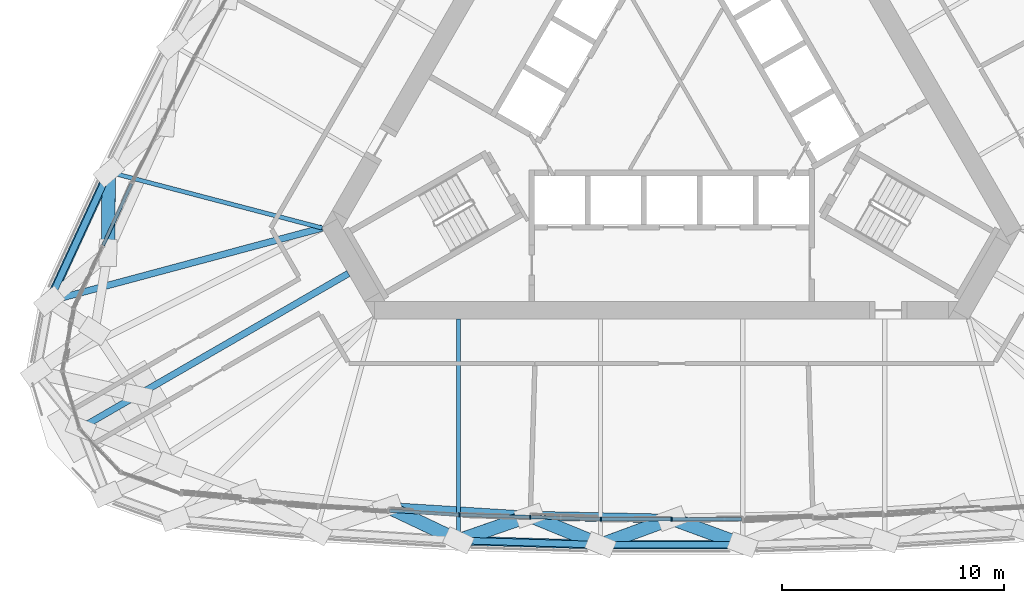
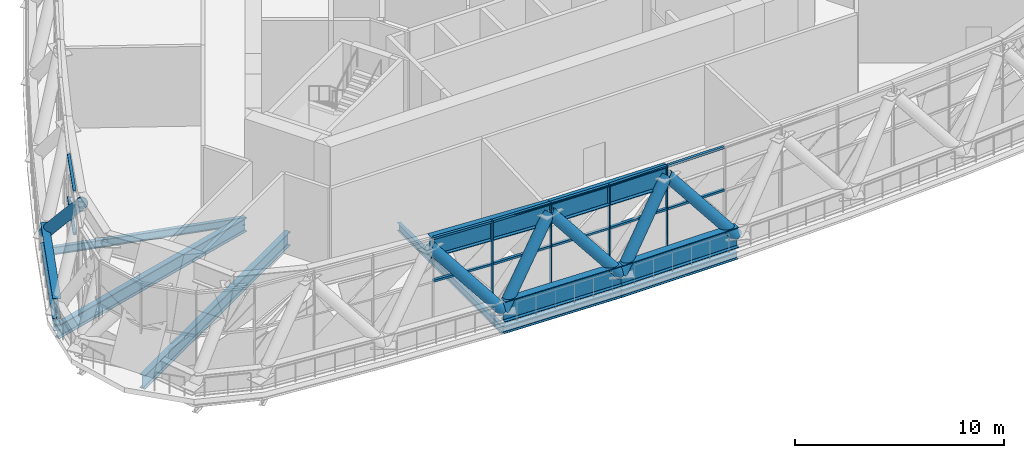
# One storey, part 2 of 35: 27 members, 7 beams, 2 elements without a shape of their own.
"""IFC4 building model written with IfcOpenShell, lengths in metres."""

from ifc_helpers import new_model, si_unit, direction, frame, origin, origin_2d, place, context, subcontext, project, spatial, rectangle, hollow_circle, i_section, extrude, material, material_profile, profile_set, type_object, element, aggregate, save


model = new_model("IFC4")

# Units and contexts
model_context = context("Model", 3, precision=1e-05, world=origin(), true_north=direction((0.0, 1.0)))
body_context = subcontext(model_context, "Body", "Model", "MODEL_VIEW")
ifc_project = project(units=[si_unit("LENGTHUNIT", "METRE"), si_unit("AREAUNIT", "SQUARE_METRE"), si_unit("VOLUMEUNIT", "CUBIC_METRE"), si_unit("PLANEANGLEUNIT", "RADIAN"), si_unit("MASSUNIT", "GRAM", prefix="KILO")], contexts=[model_context])

# Site, building, storey
site_placement = place(None, origin())
site = spatial("IfcSite", under=ifc_project, at=site_placement, CompositionType="ELEMENT")
building_placement = place(site_placement, origin())
building = spatial("IfcBuilding", under=site, at=building_placement, Name="Mestral Congress Tower", CompositionType="ELEMENT")
storey_placement = place(building_placement, frame((0.0, 0.0, 196.199951171875)))
storey = spatial("IfcBuildingStorey", under=building, at=storey_placement, Name="L46", CompositionType="ELEMENT", Elevation=196.199951171875)

# Members
ifc_material_1 = material(Name="Steel S355", Category="steel")
ifc_material_profile_1 = material_profile(ifc_material_1, i_section(OverallWidth=0.39990234375, OverallDepth=1.199951171875, WebThickness=0.02001953125, FlangeThickness=0.0400390625, FilletRadius=0.010009765625, at=origin_2d()), Name="WPG 1200")
ifc_profile_set_1 = profile_set([ifc_material_profile_1], Name="Steel S355")
member_type_1 = type_object("IfcMemberType", Name="Belt chord WPG 1200 S355", PredefinedType="CHORD", material=ifc_profile_set_1)
member_1_placement = place(storey_placement, frame((-9.5966796875, -20.412841796875, 0.60009765625), z_axis=(0.999534187957, -0.030518963031, 0.0), x_axis=(0.030518963031, 0.999534187957, 0.0)))
element("IfcMember", 1, at=member_1_placement, inside=storey, type_object=member_type_1, Name="MB-L46-BC3-S02", PredefinedType="CHORD", context=body_context, shape_type="SweptSolid", body=[
    extrude(i_section(OverallWidth=0.39990234375, OverallDepth=1.199951171875, WebThickness=0.02001953125, FlangeThickness=0.0400390625, FilletRadius=0.010009765625, at=origin_2d()), origin(), (0.0, 0.0, 1.0), 6.399658203125),
])
member_2_placement = place(storey_placement, frame((-3.199951171875, -20.608154296875, 0.60009765625), z_axis=(1.0, 0.0, 0.0), x_axis=(0.0, 1.0, 0.0)))
element("IfcMember", 2, at=member_2_placement, inside=storey, type_object=member_type_1, Name="MB-L46-BC3-S03", PredefinedType="CHORD", context=body_context, shape_type="SweptSolid", body=[
    extrude(i_section(OverallWidth=0.39990234375, OverallDepth=1.199951171875, WebThickness=0.02001953125, FlangeThickness=0.0400390625, FilletRadius=0.010009765625, at=origin_2d()), origin(), (0.0, 0.0, 1.0), 6.39990234375),
])
for number, where, z_axis, x_axis, name in (
    (3, (-25.332275390625, -3.831787109375, 0.60009765625), (-0.418683166857, -0.908132372394, 0.0), (0.908132372394, -0.418683166857, 0.0), "MB-L46-BC3-W06"),
    (4, (-12.785400390625, -18.899658203125, 4.550048828125), (0.998062363273, -0.062221531783, 0.0), (0.062221531783, 0.998062363273, 0.0), "MB-L46-TC3-S01"),
    (5, (-6.398193359375, -19.2978515625, 4.550048828125), (0.999784626203, -0.020753342109, 0.0), (0.020753342109, 0.999784626203, 0.0), "MB-L46-TC3-S02"),
):
    element("IfcMember", number, at=place(storey_placement, frame(where, z_axis=z_axis, x_axis=x_axis)), inside=storey, type_object=member_type_1, Name=name, PredefinedType="CHORD", context=body_context, shape_type="SweptSolid", body=[
        extrude(i_section(OverallWidth=0.39990234375, OverallDepth=1.199951171875, WebThickness=0.02001953125, FlangeThickness=0.0400390625, FilletRadius=0.010009765625, at=origin_2d()), origin(), (0.0, 0.0, 1.0), 6.399658203125),
    ])
ifc_material_profile_2 = material_profile(ifc_material_1, hollow_circle(Radius=0.304931640625, WallThickness=0.02490234375, at=origin_2d()), Name="CHS 610x25")
ifc_profile_set_2 = profile_set([ifc_material_profile_2], Name="Steel S355")
member_type_2 = type_object("IfcMemberType", Name="Belt diagonal CHS 610x25 S355", PredefinedType="BRACE", material=ifc_profile_set_2)
member_3_placement = place(storey_placement, frame((-9.5966796875, -20.412841796875, 0.60009765625), z_axis=(-0.601969325776, 0.285660047559, 0.74567504186), x_axis=(-0.428719573433, -0.903437616748, 0.0)))
element("IfcMember", 6, at=member_3_placement, inside=storey, type_object=member_type_2, Name="MD-L46-BD3-S02.S01", PredefinedType="BRACE", context=body_context, shape_type="SweptSolid", body=[
    extrude(hollow_circle(Radius=0.304931640625, WallThickness=0.02490234375, at=origin_2d()), origin(), (0.0, 0.0, 1.0), 5.297119140625),
])
member_4_placement = place(storey_placement, frame((-9.5966796875, -20.412841796875, 0.60009765625), z_axis=(0.614688651421, 0.21428006038, 0.759105998881), x_axis=(-0.329171906414, 0.944270012246, 0.0)))
element("IfcMember", 7, at=member_4_placement, inside=storey, type_object=member_type_2, Name="MD-L46-BD3-S02.S02", PredefinedType="BRACE", context=body_context, shape_type="SweptSolid", body=[
    extrude(hollow_circle(Radius=0.304931640625, WallThickness=0.02490234375, at=origin_2d()), origin(), (0.0, 0.0, 1.0), 5.203369140625),
])
member_5_placement = place(storey_placement, frame((-3.199951171875, -20.608154296875, 0.60009765625), z_axis=(-0.609351939197, 0.24964823341, 0.752572902616), x_axis=(-0.379111379688, -0.925351047868, 0.0)))
element("IfcMember", 8, at=member_5_placement, inside=storey, type_object=member_type_2, Name="MD-L46-BD3-S03.S02", PredefinedType="BRACE", context=body_context, shape_type="SweptSolid", body=[
    extrude(hollow_circle(Radius=0.304931640625, WallThickness=0.02490234375, at=origin_2d()), origin(), (0.0, 0.0, 1.0), 5.24853515625),
])
for number, where, z_axis, x_axis, name in (
    (9, (-3.199951171875, -20.608154296875, 0.60009765625), (0.61324385841, 0.225656147792, 0.756975080889), (-0.345333702823, 0.938479959133, 0.0), "MD-L46-BD3-S03.S03"),
    (10, (3.199951171875, -20.608154296875, 0.60009765625), (-0.61324385841, 0.225656147792, 0.756975080889), (-0.345333702823, -0.938479959133, 0.0), "MD-L46-BD3-S04.S03"),
):
    element("IfcMember", number, at=place(storey_placement, frame(where, z_axis=z_axis, x_axis=x_axis)), inside=storey, type_object=member_type_2, Name=name, PredefinedType="BRACE", context=body_context, shape_type="SweptSolid", body=[
        extrude(hollow_circle(Radius=0.304931640625, WallThickness=0.02490234375, at=origin_2d()), origin(), (0.0, 0.0, 1.0), 5.218017578125),
    ])
member_6_placement = place(storey_placement, frame((-25.332275390625, -3.831787109375, 0.60009765625), z_axis=(-0.006822374427, -0.677097920585, 0.735861305646), x_axis=(0.999949241933, -0.010075393719, 0.0)))
element("IfcMember", 11, at=member_6_placement, inside=storey, type_object=member_type_2, Name="MD-L46-BD3-W06.W06", PredefinedType="BRACE", context=body_context, shape_type="SweptSolid", body=[
    extrude(hollow_circle(Radius=0.304931640625, WallThickness=0.02490234375, at=origin_2d()), origin(), (0.0, 0.0, 1.0), 5.36767578125),
])

# Curtain wall, members
ifc_material_2 = material(Name="Clear low-emissivity double glazing", Category="glass")
curtain_wall_type = type_object("IfcCurtainWallType", Name="Facade refuge band screen", PredefinedType="USERDEFINED", material=ifc_material_2)
placement = place(storey_placement, origin())
curtain_wall_1 = element("IfcCurtainWall", 12, at=placement, inside=storey, type_object=curtain_wall_type, Name="Facade refuge band screen face 1", ObjectType="CURTAIN WALL", PredefinedType="USERDEFINED")
ifc_material_3 = material(Name="Anodised aluminium", Category="aluminium")
ifc_material_profile_3 = material_profile(ifc_material_3, rectangle(XDim=0.179931640625, YDim=0.06005859375, at=origin_2d()), Name="CW3 mullion 180 x 60")
ifc_profile_set_3 = profile_set([ifc_material_profile_3], Name="Anodised aluminium")
member_type_3 = type_object("IfcMemberType", Name="Facade refuge band screen mullion", PredefinedType="MULLION", material=ifc_profile_set_3)
member_7_placement = place(storey_placement, frame((-9.5439453125, -19.263916015625, 0.0), z_axis=(0.0, 0.0, 1.0), x_axis=(-0.045770970953, -0.998951959915, 0.0)))
member_7 = element("IfcMember", 13, at=member_7_placement, type_object=member_type_3, Name="Facade refuge band screen mullion", PredefinedType="MULLION", context=body_context, shape_type="SweptSolid", body=[
    extrude(rectangle(XDim=0.179931640625, YDim=0.06005859375, at=origin_2d()), origin(), (0.0, 0.0, 1.0), 5.150146484375),
])
member_8_placement = place(storey_placement, frame((-6.36328125, -19.361083984375, 0.0), z_axis=(0.0, 0.0, 1.0), x_axis=(-0.030519323537, -0.99953417695, 0.0)))
member_8 = element("IfcMember", 14, at=member_8_placement, type_object=member_type_3, Name="Facade refuge band screen mullion", PredefinedType="MULLION", context=body_context, shape_type="SweptSolid", body=[
    extrude(rectangle(XDim=0.179931640625, YDim=0.06005859375, at=origin_2d()), origin(), (0.0, 0.0, 1.0), 5.150146484375),
])
member_9_placement = place(storey_placement, frame((-3.182373046875, -19.458251953125, 0.0), z_axis=(0.0, 0.0, 1.0), x_axis=(-0.015262311717, -0.999883524137, 0.0)))
member_9 = element("IfcMember", 15, at=member_9_placement, type_object=member_type_3, Name="Facade refuge band screen mullion", PredefinedType="MULLION", context=body_context, shape_type="SweptSolid", body=[
    extrude(rectangle(XDim=0.179931640625, YDim=0.06005859375, at=origin_2d()), origin(), (0.0, 0.0, 1.0), 5.150146484375),
])
member_10_placement = place(storey_placement, frame((0.0, -19.458251953125, 0.0), z_axis=(0.0, 0.0, 1.0), x_axis=(0.0, -1.0, 0.0)))
member_10 = element("IfcMember", 16, at=member_10_placement, type_object=member_type_3, Name="Facade refuge band screen mullion", PredefinedType="MULLION", context=body_context, shape_type="SweptSolid", body=[
    extrude(rectangle(XDim=0.179931640625, YDim=0.06005859375, at=origin_2d()), origin(), (0.0, 0.0, 1.0), 5.150146484375),
])
ifc_material_profile_4 = material_profile(ifc_material_3, rectangle(XDim=0.14990234375, YDim=0.1201171875, at=origin_2d()), Name="CW3 transom 150 x 120")
ifc_profile_set_4 = profile_set([ifc_material_profile_4], Name="Anodised aluminium")
member_type_4 = type_object("IfcMemberType", Name="Facade refuge band screen transom", PredefinedType="USERDEFINED", material=ifc_profile_set_4)
member_11_placement = place(storey_placement, frame((-12.6904296875, -19.071533203125, 2.60009765625), z_axis=(0.998133563437, -0.06106872801, 0.0), x_axis=(0.06106872801, 0.998133563437, 0.0)))
member_11 = element("IfcMember", 17, at=member_11_placement, type_object=member_type_4, Name="Facade refuge band screen transom", ObjectType="TRANSOM", PredefinedType="USERDEFINED", context=body_context, shape_type="SweptSolid", body=[
    extrude(rectangle(XDim=0.14990234375, YDim=0.1201171875, at=origin_2d()), origin(), (0.0, 0.0, 1.0), 3.122314453125),
])
member_12_placement = place(storey_placement, frame((-12.6904296875, -19.071533203125, 5.090087890625), z_axis=(0.998133563437, -0.06106872801, 0.0), x_axis=(0.06106872801, 0.998133563437, 0.0)))
member_12 = element("IfcMember", 18, at=member_12_placement, type_object=member_type_4, Name="Facade refuge band screen transom", ObjectType="TRANSOM", PredefinedType="USERDEFINED", context=body_context, shape_type="SweptSolid", body=[
    extrude(rectangle(XDim=0.14990234375, YDim=0.1201171875, at=origin_2d()), origin(), (0.0, 0.0, 1.0), 3.122314453125),
])
member_13_placement = place(storey_placement, frame((-9.513916015625, -19.264892578125, 2.60009765625), z_axis=(0.999534916873, -0.030495080778, 0.0), x_axis=(0.030495080778, 0.999534916873, 0.0)))
member_13 = element("IfcMember", 19, at=member_13_placement, type_object=member_type_4, Name="Facade refuge band screen transom", ObjectType="TRANSOM", PredefinedType="USERDEFINED", context=body_context, shape_type="SweptSolid", body=[
    extrude(rectangle(XDim=0.14990234375, YDim=0.1201171875, at=origin_2d()), origin(), (0.0, 0.0, 1.0), 3.122314453125),
])
member_14_placement = place(storey_placement, frame((-9.513916015625, -19.264892578125, 5.090087890625), z_axis=(0.999534916873, -0.030495080778, 0.0), x_axis=(0.030495080778, 0.999534916873, 0.0)))
member_14 = element("IfcMember", 20, at=member_14_placement, type_object=member_type_4, Name="Facade refuge band screen transom", ObjectType="TRANSOM", PredefinedType="USERDEFINED", context=body_context, shape_type="SweptSolid", body=[
    extrude(rectangle(XDim=0.14990234375, YDim=0.1201171875, at=origin_2d()), origin(), (0.0, 0.0, 1.0), 3.122314453125),
])
member_15_placement = place(storey_placement, frame((-6.333251953125, -19.362060546875, 2.60009765625), z_axis=(0.999534916873, -0.030495080778, 0.0), x_axis=(0.030495080778, 0.999534916873, 0.0)))
member_15 = element("IfcMember", 21, at=member_15_placement, type_object=member_type_4, Name="Facade refuge band screen transom", ObjectType="TRANSOM", PredefinedType="USERDEFINED", context=body_context, shape_type="SweptSolid", body=[
    extrude(rectangle(XDim=0.14990234375, YDim=0.1201171875, at=origin_2d()), origin(), (0.0, 0.0, 1.0), 3.122314453125),
])
member_16_placement = place(storey_placement, frame((-6.333251953125, -19.362060546875, 5.090087890625), z_axis=(0.999534916873, -0.030495080778, 0.0), x_axis=(0.030495080778, 0.999534916873, 0.0)))
member_16 = element("IfcMember", 22, at=member_16_placement, type_object=member_type_4, Name="Facade refuge band screen transom", ObjectType="TRANSOM", PredefinedType="USERDEFINED", context=body_context, shape_type="SweptSolid", body=[
    extrude(rectangle(XDim=0.14990234375, YDim=0.1201171875, at=origin_2d()), origin(), (0.0, 0.0, 1.0), 3.122314453125),
])
member_17_placement = place(storey_placement, frame((-3.15234375, -19.458251953125, 2.60009765625), z_axis=(1.0, 0.0, 0.0), x_axis=(0.0, 1.0, 0.0)))
member_17 = element("IfcMember", 23, at=member_17_placement, type_object=member_type_4, Name="Facade refuge band screen transom", ObjectType="TRANSOM", PredefinedType="USERDEFINED", context=body_context, shape_type="SweptSolid", body=[
    extrude(rectangle(XDim=0.14990234375, YDim=0.1201171875, at=origin_2d()), origin(), (0.0, 0.0, 1.0), 3.122314453125),
])
member_18_placement = place(storey_placement, frame((-3.15234375, -19.458251953125, 5.090087890625), z_axis=(1.0, 0.0, 0.0), x_axis=(0.0, 1.0, 0.0)))
member_18 = element("IfcMember", 24, at=member_18_placement, type_object=member_type_4, Name="Facade refuge band screen transom", ObjectType="TRANSOM", PredefinedType="USERDEFINED", context=body_context, shape_type="SweptSolid", body=[
    extrude(rectangle(XDim=0.14990234375, YDim=0.1201171875, at=origin_2d()), origin(), (0.0, 0.0, 1.0), 3.122314453125),
])
member_19_placement = place(storey_placement, frame((0.030029296875, -19.458251953125, 2.60009765625), z_axis=(1.0, 0.0, 0.0), x_axis=(0.0, 1.0, 0.0)))
member_19 = element("IfcMember", 25, at=member_19_placement, type_object=member_type_4, Name="Facade refuge band screen transom", ObjectType="TRANSOM", PredefinedType="USERDEFINED", context=body_context, shape_type="SweptSolid", body=[
    extrude(rectangle(XDim=0.14990234375, YDim=0.1201171875, at=origin_2d()), origin(), (0.0, 0.0, 1.0), 3.122314453125),
])
member_20_placement = place(storey_placement, frame((0.030029296875, -19.458251953125, 5.090087890625), z_axis=(1.0, 0.0, 0.0), x_axis=(0.0, 1.0, 0.0)))
member_20 = element("IfcMember", 26, at=member_20_placement, type_object=member_type_4, Name="Facade refuge band screen transom", ObjectType="TRANSOM", PredefinedType="USERDEFINED", context=body_context, shape_type="SweptSolid", body=[
    extrude(rectangle(XDim=0.14990234375, YDim=0.1201171875, at=origin_2d()), origin(), (0.0, 0.0, 1.0), 3.122314453125),
])
aggregate(curtain_wall_1, [member_7, member_8, member_9, member_10, member_11, member_12, member_13, member_14, member_15, member_16, member_17, member_18, member_19, member_20])

curtain_wall_2 = element("IfcCurtainWall", 27, at=placement, inside=storey, type_object=curtain_wall_type, Name="Facade refuge band screen face 3", ObjectType="CURTAIN WALL", PredefinedType="USERDEFINED")
member_21_placement = place(storey_placement, frame((-24.3076171875, -4.3564453125, 2.60009765625), z_axis=(-0.418703849599, -0.908122836587, 0.0), x_axis=(0.908122836587, -0.418703849599, 0.0)))
member_21 = element("IfcMember", 28, at=member_21_placement, type_object=member_type_4, Name="Facade refuge band screen transom", ObjectType="TRANSOM", PredefinedType="USERDEFINED", context=body_context, shape_type="SweptSolid", body=[
    extrude(rectangle(XDim=0.14990234375, YDim=0.1201171875, at=origin_2d()), origin(), (0.0, 0.0, 1.0), 3.058837890625),
])
member_22_placement = place(storey_placement, frame((-24.3076171875, -4.3564453125, 5.090087890625), z_axis=(-0.418703849599, -0.908122836587, 0.0), x_axis=(0.908122836587, -0.418703849599, 0.0)))
member_22 = element("IfcMember", 29, at=member_22_placement, type_object=member_type_4, Name="Facade refuge band screen transom", ObjectType="TRANSOM", PredefinedType="USERDEFINED", context=body_context, shape_type="SweptSolid", body=[
    extrude(rectangle(XDim=0.14990234375, YDim=0.1201171875, at=origin_2d()), origin(), (0.0, 0.0, 1.0), 3.058837890625),
])
aggregate(curtain_wall_2, [member_21, member_22])

# Beams
ifc_material_profile_5 = material_profile(ifc_material_1, i_section(OverallWidth=0.300048828125, OverallDepth=0.800048828125, WebThickness=0.017578125, FlangeThickness=0.032958984375, FilletRadius=0.030029296875, at=origin_2d()), Name="HEB 800")
ifc_profile_set_5 = profile_set([ifc_material_profile_5], Name="Steel S355")
beam_type_1 = type_object("IfcBeamType", Name="Floor beam HEB 800 S355", PredefinedType="BEAM", material=ifc_profile_set_5)
beam_1_placement = place(storey_placement, frame((-28.01171875, -9.6435546875, -0.699951171875), z_axis=(0.965859716189, 0.259065645433, 0.0), x_axis=(-0.259065645433, 0.965859716189, 0.0)))
element("IfcBeam", 30, at=beam_1_placement, inside=storey, type_object=beam_type_1, Name="BM-L46-RB3-W07", PredefinedType="BEAM", context=body_context, shape_type="SweptSolid", body=[
    extrude(i_section(OverallWidth=0.300048828125, OverallDepth=0.800048828125, WebThickness=0.017578125, FlangeThickness=0.032958984375, FilletRadius=0.030029296875, at=origin_2d()), origin(), (0.0, 0.0, 1.0), 12.712890625),
])
beam_2_placement = place(storey_placement, frame((-26.590576171875, -15.35205078125, -0.699951171875), z_axis=(0.866033538886, 0.499985909326, 0.0), x_axis=(-0.499985909326, 0.866033538886, 0.0)))
element("IfcBeam", 31, at=beam_2_placement, inside=storey, type_object=beam_type_1, Name="BM-L46-RB3-SW", PredefinedType="BEAM", context=body_context, shape_type="SweptSolid", body=[
    extrude(i_section(OverallWidth=0.300048828125, OverallDepth=0.800048828125, WebThickness=0.017578125, FlangeThickness=0.032958984375, FilletRadius=0.030029296875, at=origin_2d()), origin(), (0.0, 0.0, 1.0), 13.904296875),
])
ifc_material_profile_6 = material_profile(ifc_material_1, i_section(OverallWidth=0.18994140625, OverallDepth=0.449951171875, WebThickness=0.009521484375, FlangeThickness=0.0146484375, FilletRadius=0.02099609375, at=origin_2d()), Name="IPE 450")
ifc_profile_set_6 = profile_set([ifc_material_profile_6], Name="Steel S355")
beam_type_2 = type_object("IfcBeamType", Name="Floor beam IPE 450 S355", PredefinedType="BEAM", material=ifc_profile_set_6)
beam_3_placement = place(storey_placement, frame((-9.5966796875, -20.412841796875, -0.52490234375), z_axis=(0.0, 1.0, 0.0), x_axis=(-1.0, 0.0, 0.0)))
element("IfcBeam", 32, at=beam_3_placement, inside=storey, type_object=beam_type_2, Name="BM-L46-RB3-S02", PredefinedType="BEAM", context=body_context, shape_type="SweptSolid", body=[
    extrude(i_section(OverallWidth=0.18994140625, OverallDepth=0.449951171875, WebThickness=0.009521484375, FlangeThickness=0.0146484375, FilletRadius=0.02099609375, at=origin_2d()), origin(), (0.0, 0.0, 1.0), 9.962890625),
])
beam_4_placement = place(storey_placement, frame((-25.332275390625, -3.831787109375, -0.52490234375), z_axis=(0.967268637676, -0.253754571521, 0.0), x_axis=(0.253754571521, 0.967268637676, 0.0)))
element("IfcBeam", 33, at=beam_4_placement, inside=storey, type_object=beam_type_2, Name="BM-L46-RB3-W06", PredefinedType="BEAM", context=body_context, shape_type="SweptSolid", body=[
    extrude(i_section(OverallWidth=0.18994140625, OverallDepth=0.449951171875, WebThickness=0.009521484375, FlangeThickness=0.0146484375, FilletRadius=0.02099609375, at=origin_2d()), origin(), (0.0, 0.0, 1.0), 9.92431640625),
])
ifc_material_profile_7 = material_profile(ifc_material_1, i_section(OverallWidth=0.300048828125, OverallDepth=0.389892578125, WebThickness=0.010986328125, FlangeThickness=0.01904296875, FilletRadius=0.027099609375, at=origin_2d()), Name="HEA 400")
ifc_profile_set_7 = profile_set([ifc_material_profile_7], Name="Steel S355")
beam_type_3 = type_object("IfcBeamType", Name="Spandrel beam HEA 400 S355", PredefinedType="BEAM", material=ifc_profile_set_7)
beam_5_placement = place(storey_placement, frame((-9.5966796875, -20.412841796875, -0.494873046875), z_axis=(0.999534187957, -0.030518963031, 0.0), x_axis=(0.030518963031, 0.999534187957, 0.0)))
element("IfcBeam", 34, at=beam_5_placement, inside=storey, type_object=beam_type_3, Name="SP-L46-SB3-S02", PredefinedType="BEAM", context=body_context, shape_type="SweptSolid", body=[
    extrude(i_section(OverallWidth=0.300048828125, OverallDepth=0.389892578125, WebThickness=0.010986328125, FlangeThickness=0.01904296875, FilletRadius=0.027099609375, at=origin_2d()), origin(), (0.0, 0.0, 1.0), 6.399658203125),
])
beam_6_placement = place(storey_placement, frame((-3.199951171875, -20.608154296875, -0.494873046875), z_axis=(1.0, 0.0, 0.0), x_axis=(0.0, 1.0, 0.0)))
element("IfcBeam", 35, at=beam_6_placement, inside=storey, type_object=beam_type_3, Name="SP-L46-SB3-S03", PredefinedType="BEAM", context=body_context, shape_type="SweptSolid", body=[
    extrude(i_section(OverallWidth=0.300048828125, OverallDepth=0.389892578125, WebThickness=0.010986328125, FlangeThickness=0.01904296875, FilletRadius=0.027099609375, at=origin_2d()), origin(), (0.0, 0.0, 1.0), 6.39990234375),
])
beam_7_placement = place(storey_placement, frame((-25.332275390625, -3.831787109375, -0.494873046875), z_axis=(-0.418683166857, -0.908132372394, 0.0), x_axis=(0.908132372394, -0.418683166857, 0.0)))
element("IfcBeam", 36, at=beam_7_placement, inside=storey, type_object=beam_type_3, Name="SP-L46-SB3-W06", PredefinedType="BEAM", context=body_context, shape_type="SweptSolid", body=[
    extrude(i_section(OverallWidth=0.300048828125, OverallDepth=0.389892578125, WebThickness=0.010986328125, FlangeThickness=0.01904296875, FilletRadius=0.027099609375, at=origin_2d()), origin(), (0.0, 0.0, 1.0), 6.399658203125),
])

save(model, "model.ifc")
